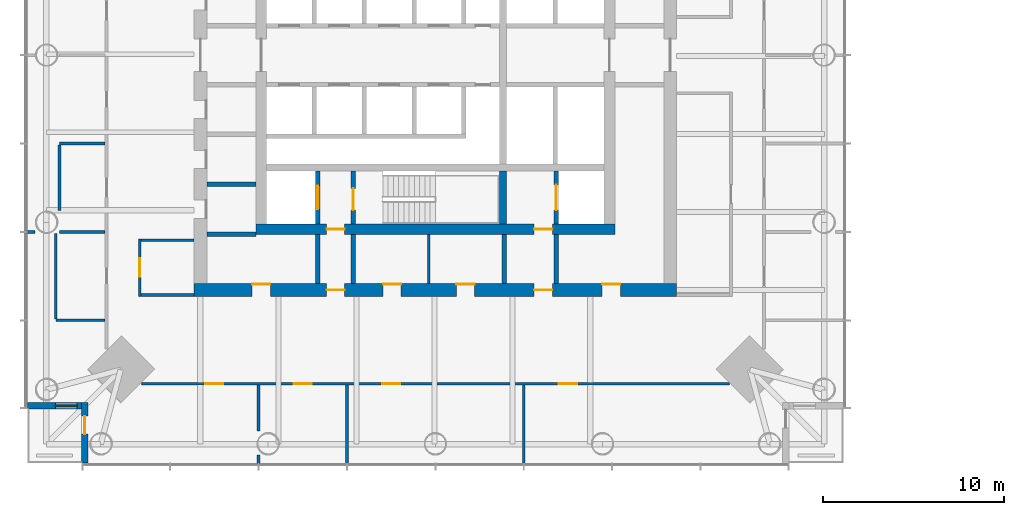
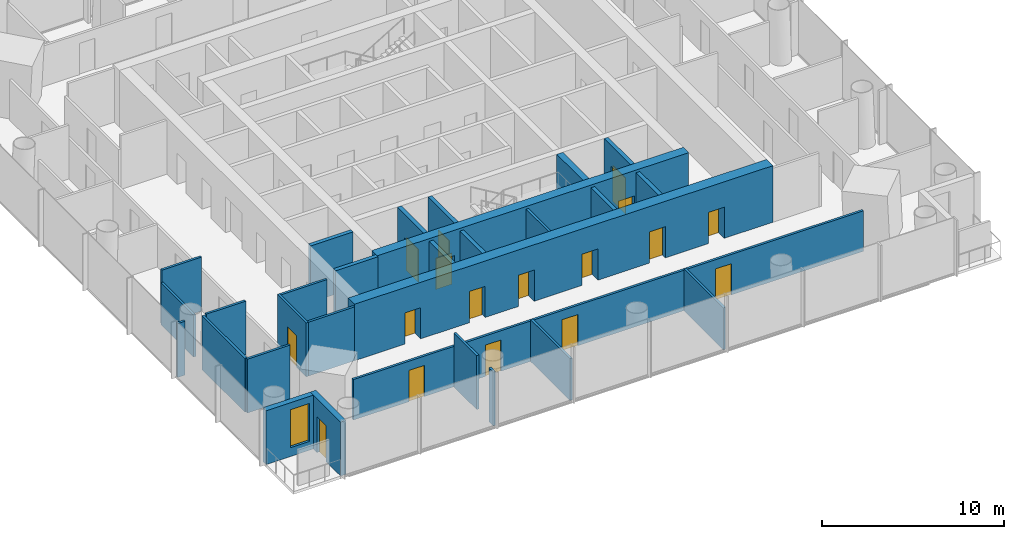
# One storey, part 8 of 20: 29 walls, 17 doors, 1 window, 18 openings.
"""IFC4 building model written with IfcOpenShell, lengths in metres."""

from ifc_helpers import new_model, si_unit, direction, frame, frame_2d, origin, place, context, subcontext, project, spatial, rectangle, extrude, material, layer, layer_set, type_object, element, fill, save


model = new_model("IFC4")

# Units and contexts
model_context = context("Model", 3, precision=1e-05, world=origin(), true_north=direction((0.0, 1.0)))
body_context = subcontext(model_context, "Body", "Model", "MODEL_VIEW")
ifc_project = project(units=[si_unit("LENGTHUNIT", "METRE"), si_unit("AREAUNIT", "SQUARE_METRE"), si_unit("VOLUMEUNIT", "CUBIC_METRE"), si_unit("PLANEANGLEUNIT", "RADIAN"), si_unit("MASSUNIT", "GRAM", prefix="KILO")], contexts=[model_context])

# Site, building, storey
site_placement = place(None, origin())
site = spatial("IfcSite", under=ifc_project, at=site_placement, CompositionType="ELEMENT")
building_placement = place(site_placement, origin())
building = spatial("IfcBuilding", under=site, at=building_placement, Name="Ostroluk Exchange", CompositionType="ELEMENT")
storey_placement = place(building_placement, frame((0.0, 0.0, 100.800048828125)))
storey = spatial("IfcBuildingStorey", under=building, at=storey_placement, Name="L25", CompositionType="ELEMENT", Elevation=100.800048828125)

# Walls
ifc_material_1 = material(Name="Concrete blockwork", Category="masonry")
ifc_layer_1 = layer(ifc_material_1, 0.14990234375)
ifc_layer_set_1 = layer_set([ifc_layer_1], Name="Blockwork plant room wall 150")
wall_type_1 = type_object("IfcWallType", Name="Blockwork plant room wall 150", PredefinedType="SOLIDWALL", material=ifc_layer_set_1)
wall_1_placement = place(storey_placement, frame((44.639892578125, 33.39990234375, 0.0), z_axis=(0.0, 0.0, 1.0), x_axis=(0.0, 1.0, 0.0)))
element("IfcWall", 1, at=wall_1_placement, inside=storey, type_object=wall_type_1, Name="Core room wall", PredefinedType="SOLIDWALL", context=body_context, shape_type="SweptSolid", body=[
    extrude(rectangle(XDim=2.7001953125, YDim=0.14990234375, at=frame_2d((1.35009765625, 0.0))), origin(), (0.0, 0.0, 1.0), 3.619873046875),
])
ifc_material_2 = material(Name="Concrete blockwork", Category="masonry")
ifc_layer_2 = layer(ifc_material_2, 0.25)
ifc_layer_set_2 = layer_set([ifc_layer_2], Name="Blockwork stair enclosure wall 250")
wall_type_2 = type_object("IfcWallType", Name="Blockwork stair enclosure wall 250", PredefinedType="SOLIDWALL", material=ifc_layer_set_2)
for number, where, z_axis, x_axis, name in (
    (2, (38.52490234375, 33.39990234375, 0.0), (0.0, 0.0, 1.0), (0.0, 1.0, 0.0), "Fire lobby enclosure wall"),
    (3, (40.47509765625, 33.39990234375, 0.0), (0.0, 0.0, 1.0), (0.0, 1.0, 0.0), "Fire lobby enclosure wall"),
    (4, (48.804931640625, 33.39990234375, 0.0), (0.0, 0.0, 1.0), (0.0, 1.0, 0.0), "Service lobby enclosure wall"),
    (5, (51.675048828125, 33.39990234375, 0.0), (0.0, 0.0, 1.0), (0.0, 1.0, 0.0), "Service lobby enclosure wall"),
):
    element("IfcWall", number, at=place(storey_placement, frame(where, z_axis=z_axis, x_axis=x_axis)), inside=storey, type_object=wall_type_2, Name=name, PredefinedType="SOLIDWALL", context=body_context, shape_type="SweptSolid", body=[
        extrude(rectangle(XDim=2.7001953125, YDim=0.25, at=frame_2d((1.35009765625, 0.0))), origin(), (0.0, 0.0, 1.0), 3.619873046875),
    ])
ifc_material_3 = material(Name="Concrete C50/60", Category="concrete")
ifc_layer_3 = layer(ifc_material_3, 0.39990234375)
ifc_layer_set_3 = layer_set([ifc_layer_3], Name="Core cross wall 400 C50/60")
wall_type_3 = type_object("IfcWallType", Name="Core cross wall 400 C50/60", PredefinedType="SHEAR", material=ifc_layer_set_3)
wall_2_placement = place(storey_placement, frame((48.72998046875, 36.699951171875, 0.0), z_axis=(0.0, 0.0, 1.0), x_axis=(0.0, 1.0, 0.0)))
element("IfcWall", 6, at=wall_2_placement, inside=storey, type_object=wall_type_3, Name="T1 core wall YE1", PredefinedType="SHEAR", context=body_context, shape_type="SweptSolid", body=[
    extrude(rectangle(XDim=2.900146484375, YDim=0.39990234375, at=frame_2d((1.4501953125, 0.0))), origin(), (0.0, 0.0, 1.0), 3.800048828125),
])

# Wall, opening, door
ifc_material_4 = material(Name="Concrete C40/50", Category="concrete")
ifc_layer_4 = layer(ifc_material_4, 0.25)
ifc_layer_set_4 = layer_set([ifc_layer_4], Name="Core shaft wall 250")
wall_type_4 = type_object("IfcWallType", Name="Core shaft wall 250", PredefinedType="SHEAR", material=ifc_layer_set_4)
wall_3_placement = place(storey_placement, frame((38.52490234375, 36.699951171875, 0.0), z_axis=(0.0, 0.0, 1.0), x_axis=(0.0, 1.0, 0.0)))
wall_3 = element("IfcWall", 7, at=wall_3_placement, inside=storey, type_object=wall_type_4, Name="Firefighting lift shaft wall", PredefinedType="SHEAR", context=body_context, shape_type="SweptSolid", body=[
    extrude(rectangle(XDim=2.900146484375, YDim=0.25, at=frame_2d((1.4501953125, 0.0))), origin(), (0.0, 0.0, 1.0), 3.800048828125),
])
opening_1_placement = place(wall_3_placement, frame((0.800048828125, 0.0, 0.0)))
opening_1 = element("IfcOpeningElement", 8, at=opening_1_placement, cuts=wall_3, Name="Opening LD2", PredefinedType="OPENING", context=body_context, shape_type="SweptSolid", body=[
    extrude(rectangle(XDim=1.300048828125, YDim=2.199951171875, at=frame_2d((0.64990234375, 1.10009765625))), frame((0.0, 0.135009765625, 0.0), z_axis=(0.0, -1.0, 0.0), x_axis=(1.0, 0.0, 0.0)), (0.0, 0.0, 1.0), 0.27001953125),
])
ifc_material_5 = material(Name="Stainless steel", Category="steel")
door_type_1 = type_object("IfcDoorType", Name="Lift landing door E 60 1300 x 2200", OperationType="DOUBLE_DOOR_SLIDING", PredefinedType="DOOR", material=ifc_material_5)
door_1_placement = place(opening_1_placement, origin())
door_1 = element("IfcDoor", 9, at=door_1_placement, inside=storey, type_object=door_type_1, Name="Lift FL1 landing door", OperationType="DOUBLE_DOOR_SLIDING", OverallHeight=2.199951171875, OverallWidth=1.300048828125, PredefinedType="DOOR", context=body_context, shape_type="SweptSolid", body=[
    extrude(rectangle(XDim=1.300048828125, YDim=2.199951171875, at=frame_2d((0.64990234375, 1.10009765625))), frame((0.0, 0.02490234375, 0.0), z_axis=(0.0, -1.0, 0.0), x_axis=(1.0, 0.0, 0.0)), (0.0, 0.0, 1.0), 0.050048828125),
])
fill(opening_1, door_1)

wall_4_placement = place(storey_placement, frame((40.47509765625, 36.699951171875, 0.0), z_axis=(0.0, 0.0, 1.0), x_axis=(0.0, 1.0, 0.0)))
wall_4 = element("IfcWall", 10, at=wall_4_placement, inside=storey, type_object=wall_type_4, Name="Stair shaft wall", PredefinedType="SHEAR", context=body_context, shape_type="SweptSolid", body=[
    extrude(rectangle(XDim=2.900146484375, YDim=0.25, at=frame_2d((1.4501953125, 0.0))), origin(), (0.0, 0.0, 1.0), 3.800048828125),
])
opening_2_placement = place(wall_4_placement, frame((0.75, 0.0, 0.0)))
opening_2 = element("IfcOpeningElement", 11, at=opening_2_placement, cuts=wall_4, Name="Opening FD60S", PredefinedType="OPENING", context=body_context, shape_type="SweptSolid", body=[
    extrude(rectangle(XDim=1.199951171875, YDim=2.10009765625, at=frame_2d((0.60009765625, 1.050048828125))), frame((0.0, 0.135009765625, 0.0), z_axis=(0.0, -1.0, 0.0), x_axis=(1.0, 0.0, 0.0)), (0.0, 0.0, 1.0), 0.27001953125),
])
ifc_material_6 = material(Name="Steel", Category="steel")
door_type_2 = type_object("IfcDoorType", Name="Stair door EI 60 1200 x 2100", OperationType="SINGLE_SWING_LEFT", PredefinedType="DOOR", material=ifc_material_6)
door_2_placement = place(opening_2_placement, origin())
door_2 = element("IfcDoor", 12, at=door_2_placement, inside=storey, type_object=door_type_2, Name="Stair T1-S1 door", OperationType="SINGLE_SWING_LEFT", OverallHeight=2.10009765625, OverallWidth=1.199951171875, PredefinedType="DOOR", context=body_context, shape_type="SweptSolid", body=[
    extrude(rectangle(XDim=1.199951171875, YDim=2.10009765625, at=frame_2d((0.60009765625, 1.050048828125))), frame((0.0, 0.02490234375, 0.0), z_axis=(0.0, -1.0, 0.0), x_axis=(1.0, 0.0, 0.0)), (0.0, 0.0, 1.0), 0.050048828125),
])
fill(opening_2, door_2)

wall_5_placement = place(storey_placement, frame((51.675048828125, 36.699951171875, 0.0), z_axis=(0.0, 0.0, 1.0), x_axis=(0.0, 1.0, 0.0)))
wall_5 = element("IfcWall", 13, at=wall_5_placement, inside=storey, type_object=wall_type_4, Name="Service lift shaft wall", PredefinedType="SHEAR", context=body_context, shape_type="SweptSolid", body=[
    extrude(rectangle(XDim=2.900146484375, YDim=0.25, at=frame_2d((1.4501953125, 0.0))), origin(), (0.0, 0.0, 1.0), 3.800048828125),
])
opening_3_placement = place(wall_5_placement, frame((0.75, 0.0, 0.0)))
opening_3 = element("IfcOpeningElement", 14, at=opening_3_placement, cuts=wall_5, Name="Opening LD3", PredefinedType="OPENING", context=body_context, shape_type="SweptSolid", body=[
    extrude(rectangle(XDim=1.39990234375, YDim=2.39990234375, at=frame_2d((0.699951171875, 1.199951171875))), frame((0.0, 0.135009765625, 0.0), z_axis=(0.0, -1.0, 0.0), x_axis=(1.0, 0.0, 0.0)), (0.0, 0.0, 1.0), 0.27001953125),
])
ifc_material_7 = material(Name="Stainless steel", Category="steel")
door_type_3 = type_object("IfcDoorType", Name="Goods lift landing door E 60 1400 x 2400", OperationType="DOUBLE_DOOR_SLIDING", PredefinedType="DOOR", material=ifc_material_7)
door_3_placement = place(opening_3_placement, origin())
door_3 = element("IfcDoor", 15, at=door_3_placement, inside=storey, type_object=door_type_3, Name="Lift SL1 landing door", OperationType="DOUBLE_DOOR_SLIDING", OverallHeight=2.39990234375, OverallWidth=1.39990234375, PredefinedType="DOOR", context=body_context, shape_type="SweptSolid", body=[
    extrude(rectangle(XDim=1.39990234375, YDim=2.39990234375, at=frame_2d((0.699951171875, 1.199951171875))), frame((0.0, 0.02490234375, 0.0), z_axis=(0.0, -1.0, 0.0), x_axis=(1.0, 0.0, 0.0)), (0.0, 0.0, 1.0), 0.050048828125),
])
fill(opening_3, door_3)

# Walls
for number, where, z_axis, x_axis, name in (
    (16, (32.39990234375, 36.125, 0.0), (0.0, 0.0, 1.0), (1.0, 0.0, 0.0), "Lift shaft wall"),
    (17, (32.39990234375, 38.875, 0.0), (0.0, 0.0, 1.0), (1.0, 0.0, 0.0), "Lift shaft wall"),
):
    element("IfcWall", number, at=place(storey_placement, frame(where, z_axis=z_axis, x_axis=x_axis)), inside=storey, type_object=wall_type_4, Name=name, PredefinedType="SHEAR", context=body_context, shape_type="SweptSolid", body=[
        extrude(rectangle(XDim=2.7001953125, YDim=0.25, at=frame_2d((1.35009765625, 0.0))), origin(), (0.0, 0.0, 1.0), 3.800048828125),
    ])

# Wall, openings, doors
ifc_material_8 = material(Name="Concrete C50/60", Category="concrete")
ifc_layer_5 = layer(ifc_material_8, 0.60009765625)
ifc_layer_set_5 = layer_set([ifc_layer_5], Name="Core wall 600 C50/60")
wall_type_5 = type_object("IfcWallType", Name="Core wall 600 C50/60", PredefinedType="SHEAR", material=ifc_layer_set_5)
wall_6_placement = place(storey_placement, frame((35.10009765625, 36.39990234375, 0.0), z_axis=(0.0, 0.0, 1.0), x_axis=(1.0, 0.0, 0.0)))
wall_6 = element("IfcWall", 18, at=wall_6_placement, inside=storey, type_object=wall_type_5, Name="T1 core wall S", PredefinedType="SHEAR", context=body_context, shape_type="SweptSolid", body=[
    extrude(rectangle(XDim=19.7998046875, YDim=0.60009765625, at=frame_2d((9.89990234375, 0.0))), origin(), (0.0, 0.0, 1.0), 3.800048828125),
])
opening_4_placement = place(wall_6_placement, frame((3.89990234375, 0.0, 0.0)))
opening_4 = element("IfcOpeningElement", 19, at=opening_4_placement, cuts=wall_6, Name="Opening FD60", PredefinedType="OPENING", context=body_context, shape_type="SweptSolid", body=[
    extrude(rectangle(XDim=1.0, YDim=2.10009765625, at=frame_2d((0.5, 1.050048828125))), frame((0.0, 0.31005859375, 0.0), z_axis=(0.0, -1.0, 0.0), x_axis=(1.0, 0.0, 0.0)), (0.0, 0.0, 1.0), 0.6201171875),
])
opening_5_placement = place(wall_6_placement, frame((15.35009765625, 0.0, 0.0)))
opening_5 = element("IfcOpeningElement", 20, at=opening_5_placement, cuts=wall_6, Name="Opening FD60", PredefinedType="OPENING", context=body_context, shape_type="SweptSolid", body=[
    extrude(rectangle(XDim=1.0, YDim=2.10009765625, at=frame_2d((0.5, 1.050048828125))), frame((0.0, 0.31005859375, 0.0), z_axis=(0.0, -1.0, 0.0), x_axis=(1.0, 0.0, 0.0)), (0.0, 0.0, 1.0), 0.6201171875),
])
ifc_material_9 = material(Name="Steel", Category="steel")
door_type_4 = type_object("IfcDoorType", Name="Fire door EI 60 1000 x 2100", OperationType="SINGLE_SWING_LEFT", PredefinedType="DOOR", material=ifc_material_9)
door_4_placement = place(opening_4_placement, origin())
door_4 = element("IfcDoor", 21, at=door_4_placement, inside=storey, type_object=door_type_4, Name="Firefighting lobby door", OperationType="SINGLE_SWING_LEFT", OverallHeight=2.10009765625, OverallWidth=1.0, PredefinedType="DOOR", context=body_context, shape_type="SweptSolid", body=[
    extrude(rectangle(XDim=1.0, YDim=2.10009765625, at=frame_2d((0.5, 1.050048828125))), frame((0.0, 0.02490234375, 0.0), z_axis=(0.0, -1.0, 0.0), x_axis=(1.0, 0.0, 0.0)), (0.0, 0.0, 1.0), 0.050048828125),
])
fill(opening_4, door_4)
door_5_placement = place(opening_5_placement, origin())
door_5 = element("IfcDoor", 22, at=door_5_placement, inside=storey, type_object=door_type_4, Name="Service lobby door", OperationType="SINGLE_SWING_RIGHT", OverallHeight=2.10009765625, OverallWidth=1.0, PredefinedType="DOOR", context=body_context, shape_type="SweptSolid", body=[
    extrude(rectangle(XDim=1.0, YDim=2.10009765625, at=frame_2d((0.5, 1.050048828125))), frame((0.0, 0.02490234375, 0.0), z_axis=(0.0, -1.0, 0.0), x_axis=(1.0, 0.0, 0.0)), (0.0, 0.0, 1.0), 0.050048828125),
])
fill(opening_5, door_5)

ifc_material_10 = material(Name="Concrete C50/60", Category="concrete")
ifc_layer_6 = layer(ifc_material_10, 0.699951171875)
ifc_layer_set_6 = layer_set([ifc_layer_6], Name="Core wall 700 C50/60")
wall_type_6 = type_object("IfcWallType", Name="Core wall 700 C50/60", PredefinedType="SHEAR", material=ifc_layer_set_6)
wall_7_placement = place(storey_placement, frame((31.699951171875, 33.050048828125, 0.0), z_axis=(0.0, 0.0, 1.0), x_axis=(1.0, 0.0, 0.0)))
wall_7 = element("IfcWall", 23, at=wall_7_placement, inside=storey, type_object=wall_type_6, Name="T1 core wall RS", PredefinedType="SHEAR", context=body_context, shape_type="SweptSolid", body=[
    extrude(rectangle(XDim=26.60009765625, YDim=0.699951171875, at=frame_2d((13.300048828125, 0.0))), origin(), (0.0, 0.0, 1.0), 3.800048828125),
])
opening_6_placement = place(wall_7_placement, frame((7.300048828125, 0.0, 0.0)))
opening_6 = element("IfcOpeningElement", 24, at=opening_6_placement, cuts=wall_7, Name="Opening FD60", PredefinedType="OPENING", context=body_context, shape_type="SweptSolid", body=[
    extrude(rectangle(XDim=1.0, YDim=2.10009765625, at=frame_2d((0.5, 1.050048828125))), frame((0.0, 0.35986328125, 0.0), z_axis=(0.0, -1.0, 0.0), x_axis=(1.0, 0.0, 0.0)), (0.0, 0.0, 1.0), 0.719970703125),
])
opening_7_placement = place(wall_7_placement, frame((18.75, 0.0, 0.0)))
opening_7 = element("IfcOpeningElement", 25, at=opening_7_placement, cuts=wall_7, Name="Opening FD60", PredefinedType="OPENING", context=body_context, shape_type="SweptSolid", body=[
    extrude(rectangle(XDim=1.0, YDim=2.10009765625, at=frame_2d((0.5, 1.050048828125))), frame((0.0, 0.35986328125, 0.0), z_axis=(0.0, -1.0, 0.0), x_axis=(1.0, 0.0, 0.0)), (0.0, 0.0, 1.0), 0.719970703125),
])
opening_8_placement = place(wall_7_placement, frame((3.199951171875, 0.0, 0.0)))
opening_8 = element("IfcOpeningElement", 26, at=opening_8_placement, cuts=wall_7, Name="Opening FD60", PredefinedType="OPENING", context=body_context, shape_type="SweptSolid", body=[
    extrude(rectangle(XDim=1.0, YDim=2.10009765625, at=frame_2d((0.5, 1.050048828125))), frame((0.0, 0.35986328125, 0.0), z_axis=(0.0, -1.0, 0.0), x_axis=(1.0, 0.0, 0.0)), (0.0, 0.0, 1.0), 0.719970703125),
])
opening_9_placement = place(wall_7_placement, frame((10.419921875, 0.0, 0.0)))
opening_9 = element("IfcOpeningElement", 27, at=opening_9_placement, cuts=wall_7, Name="Opening FD60", PredefinedType="OPENING", context=body_context, shape_type="SweptSolid", body=[
    extrude(rectangle(XDim=1.0, YDim=2.10009765625, at=frame_2d((0.5, 1.050048828125))), frame((0.0, 0.35986328125, 0.0), z_axis=(0.0, -1.0, 0.0), x_axis=(1.0, 0.0, 0.0)), (0.0, 0.0, 1.0), 0.719970703125),
])
opening_10_placement = place(wall_7_placement, frame((14.4599609375, 0.0, 0.0)))
opening_10 = element("IfcOpeningElement", 28, at=opening_10_placement, cuts=wall_7, Name="Opening FD60", PredefinedType="OPENING", context=body_context, shape_type="SweptSolid", body=[
    extrude(rectangle(XDim=1.0, YDim=2.10009765625, at=frame_2d((0.5, 1.050048828125))), frame((0.0, 0.35986328125, 0.0), z_axis=(0.0, -1.0, 0.0), x_axis=(1.0, 0.0, 0.0)), (0.0, 0.0, 1.0), 0.719970703125),
])
opening_11_placement = place(wall_7_placement, frame((22.5, 0.0, 0.0)))
opening_11 = element("IfcOpeningElement", 29, at=opening_11_placement, cuts=wall_7, Name="Opening FD60", PredefinedType="OPENING", context=body_context, shape_type="SweptSolid", body=[
    extrude(rectangle(XDim=1.0, YDim=2.10009765625, at=frame_2d((0.5, 1.050048828125))), frame((0.0, 0.35986328125, 0.0), z_axis=(0.0, -1.0, 0.0), x_axis=(1.0, 0.0, 0.0)), (0.0, 0.0, 1.0), 0.719970703125),
])
door_6_placement = place(opening_6_placement, origin())
door_6 = element("IfcDoor", 30, at=door_6_placement, inside=storey, type_object=door_type_4, Name="Firefighting lobby door", OperationType="SINGLE_SWING_LEFT", OverallHeight=2.10009765625, OverallWidth=1.0, PredefinedType="DOOR", context=body_context, shape_type="SweptSolid", body=[
    extrude(rectangle(XDim=1.0, YDim=2.10009765625, at=frame_2d((0.5, 1.050048828125))), frame((0.0, 0.02490234375, 0.0), z_axis=(0.0, -1.0, 0.0), x_axis=(1.0, 0.0, 0.0)), (0.0, 0.0, 1.0), 0.050048828125),
])
fill(opening_6, door_6)
door_7_placement = place(opening_7_placement, origin())
door_7 = element("IfcDoor", 31, at=door_7_placement, inside=storey, type_object=door_type_4, Name="Service lobby door", OperationType="SINGLE_SWING_RIGHT", OverallHeight=2.10009765625, OverallWidth=1.0, PredefinedType="DOOR", context=body_context, shape_type="SweptSolid", body=[
    extrude(rectangle(XDim=1.0, YDim=2.10009765625, at=frame_2d((0.5, 1.050048828125))), frame((0.0, 0.02490234375, 0.0), z_axis=(0.0, -1.0, 0.0), x_axis=(1.0, 0.0, 0.0)), (0.0, 0.0, 1.0), 0.050048828125),
])
fill(opening_7, door_7)
door_8_placement = place(opening_8_placement, origin())
door_8 = element("IfcDoor", 32, at=door_8_placement, inside=storey, type_object=door_type_4, Name="Archive door", OperationType="SINGLE_SWING_LEFT", OverallHeight=2.10009765625, OverallWidth=1.0, PredefinedType="DOOR", context=body_context, shape_type="SweptSolid", body=[
    extrude(rectangle(XDim=1.0, YDim=2.10009765625, at=frame_2d((0.5, 1.050048828125))), frame((0.0, 0.33984375, 0.0), z_axis=(0.0, -1.0, 0.0), x_axis=(1.0, 0.0, 0.0)), (0.0, 0.0, 1.0), 0.050048828125),
])
fill(opening_8, door_8)
door_9_placement = place(opening_9_placement, origin())
door_9 = element("IfcDoor", 33, at=door_9_placement, inside=storey, type_object=door_type_4, Name="Tea point door", OperationType="SINGLE_SWING_LEFT", OverallHeight=2.10009765625, OverallWidth=1.0, PredefinedType="DOOR", context=body_context, shape_type="SweptSolid", body=[
    extrude(rectangle(XDim=1.0, YDim=2.10009765625, at=frame_2d((0.5, 1.050048828125))), frame((0.0, 0.33984375, 0.0), z_axis=(0.0, -1.0, 0.0), x_axis=(1.0, 0.0, 0.0)), (0.0, 0.0, 1.0), 0.050048828125),
])
fill(opening_9, door_9)
door_10_placement = place(opening_10_placement, origin())
door_10 = element("IfcDoor", 34, at=door_10_placement, inside=storey, type_object=door_type_4, Name="Print and post room door", OperationType="SINGLE_SWING_RIGHT", OverallHeight=2.10009765625, OverallWidth=1.0, PredefinedType="DOOR", context=body_context, shape_type="SweptSolid", body=[
    extrude(rectangle(XDim=1.0, YDim=2.10009765625, at=frame_2d((0.5, 1.050048828125))), frame((0.0, 0.33984375, 0.0), z_axis=(0.0, -1.0, 0.0), x_axis=(1.0, 0.0, 0.0)), (0.0, 0.0, 1.0), 0.050048828125),
])
fill(opening_10, door_10)
door_11_placement = place(opening_11_placement, origin())
door_11 = element("IfcDoor", 35, at=door_11_placement, inside=storey, type_object=door_type_4, Name="Tenant IT room door", OperationType="SINGLE_SWING_RIGHT", OverallHeight=2.10009765625, OverallWidth=1.0, PredefinedType="DOOR", context=body_context, shape_type="SweptSolid", body=[
    extrude(rectangle(XDim=1.0, YDim=2.10009765625, at=frame_2d((0.5, 1.050048828125))), frame((0.0, 0.33984375, 0.0), z_axis=(0.0, -1.0, 0.0), x_axis=(1.0, 0.0, 0.0)), (0.0, 0.0, 1.0), 0.050048828125),
])
fill(opening_11, door_11)

# Wall, opening, door
ifc_material_11 = material(Name="Limestone", Category="masonry")
ifc_layer_7 = layer(ifc_material_11, 0.35009765625)
ifc_layer_set_7 = layer_set([ifc_layer_7], Name="Limestone facade wall 350")
wall_type_7 = type_object("IfcWallType", Name="Limestone facade wall 350", PredefinedType="SOLIDWALL", material=ifc_layer_set_7)
wall_8_placement = place(storey_placement, frame((25.675048828125, 23.5, 0.0), z_axis=(0.0, 0.0, 1.0), x_axis=(0.0, 1.0, 0.0)))
wall_8 = element("IfcWall", 36, at=wall_8_placement, inside=storey, type_object=wall_type_7, Name="Office tower SW corner wall L25 a", PredefinedType="SOLIDWALL", context=body_context, shape_type="SweptSolid", body=[
    extrude(rectangle(XDim=3.35009765625, YDim=0.35009765625, at=frame_2d((1.675048828125, 0.0))), origin(), (0.0, 0.0, 1.0), 3.619873046875),
])
opening_12_placement = place(wall_8_placement, frame((1.60009765625, 0.0, 0.0)))
opening_12 = element("IfcOpeningElement", 37, at=opening_12_placement, cuts=wall_8, Name="Opening D-B1", PredefinedType="OPENING", context=body_context, shape_type="SweptSolid", body=[
    extrude(rectangle(XDim=1.0, YDim=2.39990234375, at=frame_2d((0.5, 1.199951171875))), frame((0.0, 0.18505859375, 0.0), z_axis=(0.0, -1.0, 0.0), x_axis=(1.0, 0.0, 0.0)), (0.0, 0.0, 1.0), 0.3701171875),
])
ifc_material_12 = material(Name="Bronze framed glazed door", Category="aluminium")
door_type_5 = type_object("IfcDoorType", Name="Balcony door 1000 x 2400", OperationType="SINGLE_SWING_LEFT", PredefinedType="DOOR", material=ifc_material_12)
door_12_placement = place(opening_12_placement, origin())
door_12 = element("IfcDoor", 38, at=door_12_placement, inside=storey, type_object=door_type_5, Name="Office tower SW balcony door L25", OperationType="SINGLE_SWING_RIGHT", OverallHeight=2.39990234375, OverallWidth=1.0, PredefinedType="DOOR", context=body_context, shape_type="SweptSolid", body=[
    extrude(rectangle(XDim=1.0, YDim=2.39990234375, at=frame_2d((0.5, 1.199951171875))), frame((0.0, 0.02490234375, 0.0), z_axis=(0.0, -1.0, 0.0), x_axis=(1.0, 0.0, 0.0)), (0.0, 0.0, 1.0), 0.050048828125),
])
fill(opening_12, door_12)

# Wall, opening, window
wall_9_placement = place(storey_placement, frame((25.5, 26.675048828125, 0.0), z_axis=(0.0, 0.0, 1.0), x_axis=(-1.0, 0.0, 0.0)))
wall_9 = element("IfcWall", 39, at=wall_9_placement, inside=storey, type_object=wall_type_7, Name="Office tower SW corner wall L25 b", PredefinedType="SOLIDWALL", context=body_context, shape_type="SweptSolid", body=[
    extrude(rectangle(XDim=3.0, YDim=0.35009765625, at=frame_2d((1.5, 0.0))), origin(), (0.0, 0.0, 1.0), 3.619873046875),
])
opening_13_placement = place(wall_9_placement, frame((0.25, 0.0, 0.60009765625)))
opening_13 = element("IfcOpeningElement", 40, at=opening_13_placement, cuts=wall_9, Name="Opening WN-L1", PredefinedType="OPENING", context=body_context, shape_type="SweptSolid", body=[
    extrude(rectangle(XDim=1.199951171875, YDim=2.550048828125, at=frame_2d((0.60009765625, 1.27490234375))), frame((0.0, 0.18505859375, 0.0), z_axis=(0.0, -1.0, 0.0), x_axis=(1.0, 0.0, 0.0)), (0.0, 0.0, 1.0), 0.3701171875),
])
ifc_material_13 = material(Name="Laminated clear glass", Category="glass")
window_type = type_object("IfcWindowType", Name="Lancet window 1200 x 2550", PartitioningType="SINGLE_PANEL", PredefinedType="WINDOW", material=ifc_material_13)
window_placement = place(opening_13_placement, origin())
window = element("IfcWindow", 41, at=window_placement, inside=storey, type_object=window_type, Name="Office tower SW lancet window L25", OverallHeight=2.550048828125, OverallWidth=1.199951171875, PartitioningType="SINGLE_PANEL", PredefinedType="WINDOW", context=body_context, shape_type="SweptSolid", body=[
    extrude(rectangle(XDim=1.199951171875, YDim=2.550048828125, at=frame_2d((0.60009765625, 1.27490234375))), frame((0.0, 0.030029296875, 0.0), z_axis=(0.0, -1.0, 0.0), x_axis=(1.0, 0.0, 0.0)), (0.0, 0.0, 1.0), 0.06005859375),
])
fill(opening_13, window)

# Wall, opening, door
ifc_material_14 = material(Name="Gypsum plasterboard partition", Category="gypsum")
ifc_layer_8 = layer(ifc_material_14, 0.14990234375)
ifc_layer_set_8 = layer_set([ifc_layer_8], Name="Plasterboard partition 150")
wall_type_8 = type_object("IfcWallType", Name="Plasterboard partition 150", PredefinedType="PARTITIONING", material=ifc_layer_set_8)
wall_10_placement = place(storey_placement, frame((28.699951171875, 35.875, 0.0), z_axis=(0.0, 0.0, 1.0), x_axis=(0.0, -1.0, 0.0)))
wall_10 = element("IfcWall", 42, at=wall_10_placement, inside=storey, type_object=wall_type_8, Name="Partition", PredefinedType="PARTITIONING", context=body_context, shape_type="SweptSolid", body=[
    extrude(rectangle(XDim=3.175048828125, YDim=0.14990234375, at=frame_2d((1.58740234375, 0.0))), origin(), (0.0, 0.0, 1.0), 3.619873046875),
])
opening_14_placement = place(wall_10_placement, frame((1.08740234375, 0.0, 0.0)))
opening_14 = element("IfcOpeningElement", 43, at=opening_14_placement, cuts=wall_10, Name="Opening D-03", PredefinedType="OPENING", context=body_context, shape_type="SweptSolid", body=[
    extrude(rectangle(XDim=1.0, YDim=2.10009765625, at=frame_2d((0.5, 1.050048828125))), frame((0.0, 0.0849609375, 0.0), z_axis=(0.0, -1.0, 0.0), x_axis=(1.0, 0.0, 0.0)), (0.0, 0.0, 1.0), 0.169921875),
])
ifc_material_15 = material(Name="Timber", Category="wood")
door_type_6 = type_object("IfcDoorType", Name="Internal door 1000 x 2100", OperationType="SINGLE_SWING_LEFT", PredefinedType="DOOR", material=ifc_material_15)
door_13_placement = place(opening_14_placement, origin())
door_13 = element("IfcDoor", 44, at=door_13_placement, inside=storey, type_object=door_type_6, Name="Staff room door", OperationType="SINGLE_SWING_RIGHT", OverallHeight=2.10009765625, OverallWidth=1.0, PredefinedType="DOOR", context=body_context, shape_type="SweptSolid", body=[
    extrude(rectangle(XDim=1.0, YDim=2.10009765625, at=frame_2d((0.5, 1.050048828125))), frame((0.0, 0.02490234375, 0.0), z_axis=(0.0, -1.0, 0.0), x_axis=(1.0, 0.0, 0.0)), (0.0, 0.0, 1.0), 0.050048828125),
])
fill(opening_14, door_13)

# Walls
for number, where, z_axis, x_axis, name in (
    (45, (31.699951171875, 35.800048828125, 0.0), (0.0, 0.0, 1.0), (-1.0, 0.0, 0.0), "Partition"),
    (46, (31.699951171875, 32.77490234375, 0.0), (0.0, 0.0, 1.0), (-1.0, 0.0, 0.0), "Partition"),
):
    element("IfcWall", number, at=place(storey_placement, frame(where, z_axis=z_axis, x_axis=x_axis)), inside=storey, type_object=wall_type_8, Name=name, PredefinedType="PARTITIONING", context=body_context, shape_type="SweptSolid", body=[
        extrude(rectangle(XDim=2.925048828125, YDim=0.14990234375, at=frame_2d((1.46240234375, 0.0))), origin(), (0.0, 0.0, 1.0), 3.619873046875),
    ])
wall_11_placement = place(storey_placement, frame((26.800048828125, 41.125, 0.0), z_axis=(0.0, 0.0, 1.0), x_axis=(-1.0, 0.0, 0.0)))
element("IfcWall", 47, at=wall_11_placement, inside=storey, type_object=wall_type_8, Name="Partition", PredefinedType="PARTITIONING", context=body_context, shape_type="SweptSolid", body=[
    extrude(rectangle(XDim=2.525146484375, YDim=0.14990234375, at=frame_2d((1.2626953125, 0.0))), origin(), (0.0, 0.0, 1.0), 3.619873046875),
])
wall_12_placement = place(storey_placement, frame((26.800048828125, 36.25, 0.0), z_axis=(0.0, 0.0, 1.0), x_axis=(-1.0, 0.0, 0.0)))
element("IfcWall", 48, at=wall_12_placement, inside=storey, type_object=wall_type_8, Name="Partition", PredefinedType="PARTITIONING", context=body_context, shape_type="SweptSolid", body=[
    extrude(rectangle(XDim=2.51904296875, YDim=0.14990234375, at=frame_2d((1.259521484375, 0.0))), origin(), (0.0, 0.0, 1.0), 3.619873046875),
])
wall_13_placement = place(storey_placement, frame((22.9404296875, 36.25, 0.0), z_axis=(0.0, 0.0, 1.0), x_axis=(-1.0, 0.0, 0.0)))
element("IfcWall", 49, at=wall_13_placement, inside=storey, type_object=wall_type_8, Name="Partition", PredefinedType="PARTITIONING", context=body_context, shape_type="SweptSolid", body=[
    extrude(rectangle(XDim=0.48046875, YDim=0.14990234375, at=frame_2d((0.240234375, 0.0))), origin(), (0.0, 0.0, 1.0), 3.619873046875),
])
wall_14_placement = place(storey_placement, frame((26.800048828125, 31.375, 0.0), z_axis=(0.0, 0.0, 1.0), x_axis=(-1.0, 0.0, 0.0)))
element("IfcWall", 50, at=wall_14_placement, inside=storey, type_object=wall_type_8, Name="Partition", PredefinedType="PARTITIONING", context=body_context, shape_type="SweptSolid", body=[
    extrude(rectangle(XDim=2.72509765625, YDim=0.14990234375, at=frame_2d((1.362548828125, 0.0))), origin(), (0.0, 0.0, 1.0), 3.619873046875),
])

# Wall, openings, doors
wall_15_placement = place(storey_placement, frame((28.78857421875, 27.875, 0.0), z_axis=(0.0, 0.0, 1.0), x_axis=(1.0, 0.0, 0.0)))
wall_15 = element("IfcWall", 51, at=wall_15_placement, inside=storey, type_object=wall_type_8, Name="Partition", PredefinedType="PARTITIONING", context=body_context, shape_type="SweptSolid", body=[
    extrude(rectangle(XDim=32.4228515625, YDim=0.14990234375, at=frame_2d((16.21142578125, 0.0))), origin(), (0.0, 0.0, 1.0), 2.719970703125),
])
opening_15_placement = place(wall_15_placement, frame((3.52392578125, 0.0, 0.0)))
opening_15 = element("IfcOpeningElement", 52, at=opening_15_placement, cuts=wall_15, Name="Opening D-03", PredefinedType="OPENING", context=body_context, shape_type="SweptSolid", body=[
    extrude(rectangle(XDim=1.0, YDim=2.10009765625, at=frame_2d((0.5, 1.050048828125))), frame((0.0, 0.0849609375, 0.0), z_axis=(0.0, -1.0, 0.0), x_axis=(1.0, 0.0, 0.0)), (0.0, 0.0, 1.0), 0.169921875),
])
opening_16_placement = place(wall_15_placement, frame((8.39892578125, 0.0, 0.0)))
opening_16 = element("IfcOpeningElement", 53, at=opening_16_placement, cuts=wall_15, Name="Opening D-03", PredefinedType="OPENING", context=body_context, shape_type="SweptSolid", body=[
    extrude(rectangle(XDim=1.0, YDim=2.10009765625, at=frame_2d((0.5, 1.050048828125))), frame((0.0, 0.0849609375, 0.0), z_axis=(0.0, -1.0, 0.0), x_axis=(1.0, 0.0, 0.0)), (0.0, 0.0, 1.0), 0.169921875),
])
opening_17_placement = place(wall_15_placement, frame((13.27392578125, 0.0, 0.0)))
opening_17 = element("IfcOpeningElement", 54, at=opening_17_placement, cuts=wall_15, Name="Opening D-03", PredefinedType="OPENING", context=body_context, shape_type="SweptSolid", body=[
    extrude(rectangle(XDim=1.0, YDim=2.10009765625, at=frame_2d((0.5, 1.050048828125))), frame((0.0, 0.0849609375, 0.0), z_axis=(0.0, -1.0, 0.0), x_axis=(1.0, 0.0, 0.0)), (0.0, 0.0, 1.0), 0.169921875),
])
opening_18_placement = place(wall_15_placement, frame((23.02392578125, 0.0, 0.0)))
opening_18 = element("IfcOpeningElement", 55, at=opening_18_placement, cuts=wall_15, Name="Opening D-03", PredefinedType="OPENING", context=body_context, shape_type="SweptSolid", body=[
    extrude(rectangle(XDim=1.0, YDim=2.10009765625, at=frame_2d((0.5, 1.050048828125))), frame((0.0, 0.0849609375, 0.0), z_axis=(0.0, -1.0, 0.0), x_axis=(1.0, 0.0, 0.0)), (0.0, 0.0, 1.0), 0.169921875),
])
door_14_placement = place(opening_15_placement, origin())
door_14 = element("IfcDoor", 56, at=door_14_placement, inside=storey, type_object=door_type_6, Name="Office suite door", OperationType="SINGLE_SWING_LEFT", OverallHeight=2.10009765625, OverallWidth=1.0, PredefinedType="DOOR", context=body_context, shape_type="SweptSolid", body=[
    extrude(rectangle(XDim=1.0, YDim=2.10009765625, at=frame_2d((0.5, 1.050048828125))), frame((0.0, 0.02490234375, 0.0), z_axis=(0.0, -1.0, 0.0), x_axis=(1.0, 0.0, 0.0)), (0.0, 0.0, 1.0), 0.050048828125),
])
fill(opening_15, door_14)
door_15_placement = place(opening_16_placement, origin())
door_15 = element("IfcDoor", 57, at=door_15_placement, inside=storey, type_object=door_type_6, Name="Meeting room door", OperationType="SINGLE_SWING_LEFT", OverallHeight=2.10009765625, OverallWidth=1.0, PredefinedType="DOOR", context=body_context, shape_type="SweptSolid", body=[
    extrude(rectangle(XDim=1.0, YDim=2.10009765625, at=frame_2d((0.5, 1.050048828125))), frame((0.0, 0.02490234375, 0.0), z_axis=(0.0, -1.0, 0.0), x_axis=(1.0, 0.0, 0.0)), (0.0, 0.0, 1.0), 0.050048828125),
])
fill(opening_16, door_15)
door_16_placement = place(opening_17_placement, origin())
door_16 = element("IfcDoor", 58, at=door_16_placement, inside=storey, type_object=door_type_6, Name="Office door", OperationType="SINGLE_SWING_LEFT", OverallHeight=2.10009765625, OverallWidth=1.0, PredefinedType="DOOR", context=body_context, shape_type="SweptSolid", body=[
    extrude(rectangle(XDim=1.0, YDim=2.10009765625, at=frame_2d((0.5, 1.050048828125))), frame((0.0, 0.02490234375, 0.0), z_axis=(0.0, -1.0, 0.0), x_axis=(1.0, 0.0, 0.0)), (0.0, 0.0, 1.0), 0.050048828125),
])
fill(opening_17, door_16)
door_17_placement = place(opening_18_placement, origin())
door_17 = element("IfcDoor", 59, at=door_17_placement, inside=storey, type_object=door_type_6, Name="Office door", OperationType="SINGLE_SWING_RIGHT", OverallHeight=2.10009765625, OverallWidth=1.0, PredefinedType="DOOR", context=body_context, shape_type="SweptSolid", body=[
    extrude(rectangle(XDim=1.0, YDim=2.10009765625, at=frame_2d((0.5, 1.050048828125))), frame((0.0, 0.02490234375, 0.0), z_axis=(0.0, -1.0, 0.0), x_axis=(1.0, 0.0, 0.0)), (0.0, 0.0, 1.0), 0.050048828125),
])
fill(opening_18, door_17)

# Walls
wall_16_placement = place(storey_placement, frame((35.25, 27.800048828125, 0.0), z_axis=(0.0, 0.0, 1.0), x_axis=(0.0, -1.0, 0.0)))
element("IfcWall", 60, at=wall_16_placement, inside=storey, type_object=wall_type_8, Name="Partition", PredefinedType="PARTITIONING", context=body_context, shape_type="SweptSolid", body=[
    extrude(rectangle(XDim=2.51904296875, YDim=0.14990234375, at=frame_2d((1.259521484375, 0.0))), origin(), (0.0, 0.0, 1.0), 3.619873046875),
])
wall_17_placement = place(storey_placement, frame((35.25, 23.9404296875, 0.0), z_axis=(0.0, 0.0, 1.0), x_axis=(0.0, -1.0, 0.0)))
element("IfcWall", 61, at=wall_17_placement, inside=storey, type_object=wall_type_8, Name="Partition", PredefinedType="PARTITIONING", context=body_context, shape_type="SweptSolid", body=[
    extrude(rectangle(XDim=0.48046875, YDim=0.14990234375, at=frame_2d((0.240234375, 0.0))), origin(), (0.0, 0.0, 1.0), 3.619873046875),
])
for number, where, z_axis, x_axis, name in (
    (62, (40.125, 27.800048828125, 0.0), (0.0, 0.0, 1.0), (0.0, -1.0, 0.0), "Partition"),
    (63, (49.875, 27.800048828125, 0.0), (0.0, 0.0, 1.0), (0.0, -1.0, 0.0), "Partition"),
):
    element("IfcWall", number, at=place(storey_placement, frame(where, z_axis=z_axis, x_axis=x_axis)), inside=storey, type_object=wall_type_8, Name=name, PredefinedType="PARTITIONING", context=body_context, shape_type="SweptSolid", body=[
        extrude(rectangle(XDim=4.340087890625, YDim=0.14990234375, at=frame_2d((2.169921875, 0.0))), origin(), (0.0, 0.0, 1.0), 2.820068359375),
    ])
ifc_material_16 = material(Name="Gypsum plasterboard partition, moisture resistant", Category="gypsum")
ifc_layer_9 = layer(ifc_material_16, 0.14990234375)
ifc_layer_set_9 = layer_set([ifc_layer_9], Name="Plasterboard toilet partition 150")
wall_type_9 = type_object("IfcWallType", Name="Plasterboard toilet partition 150", PredefinedType="PARTITIONING", material=ifc_layer_set_9)
wall_18_placement = place(storey_placement, frame((24.27490234375, 41.050048828125, 0.0), z_axis=(0.0, 0.0, 1.0), x_axis=(0.0, -1.0, 0.0)))
element("IfcWall", 64, at=wall_18_placement, inside=storey, type_object=wall_type_9, Name="Toilet partition", PredefinedType="PARTITIONING", context=body_context, shape_type="SweptSolid", body=[
    extrude(rectangle(XDim=3.604736328125, YDim=0.14990234375, at=frame_2d((1.80224609375, 0.0))), origin(), (0.0, 0.0, 1.0), 2.805908203125),
])
wall_19_placement = place(storey_placement, frame((24.074951171875, 36.16552734375, 0.0), z_axis=(0.0, 0.0, 1.0), x_axis=(0.0, -1.0, 0.0)))
element("IfcWall", 65, at=wall_19_placement, inside=storey, type_object=wall_type_9, Name="Toilet partition", PredefinedType="PARTITIONING", context=body_context, shape_type="SweptSolid", body=[
    extrude(rectangle(XDim=4.715576171875, YDim=0.14990234375, at=frame_2d((2.35791015625, 0.0))), origin(), (0.0, 0.0, 1.0), 3.619873046875),
])

save(model, "model.ifc")
